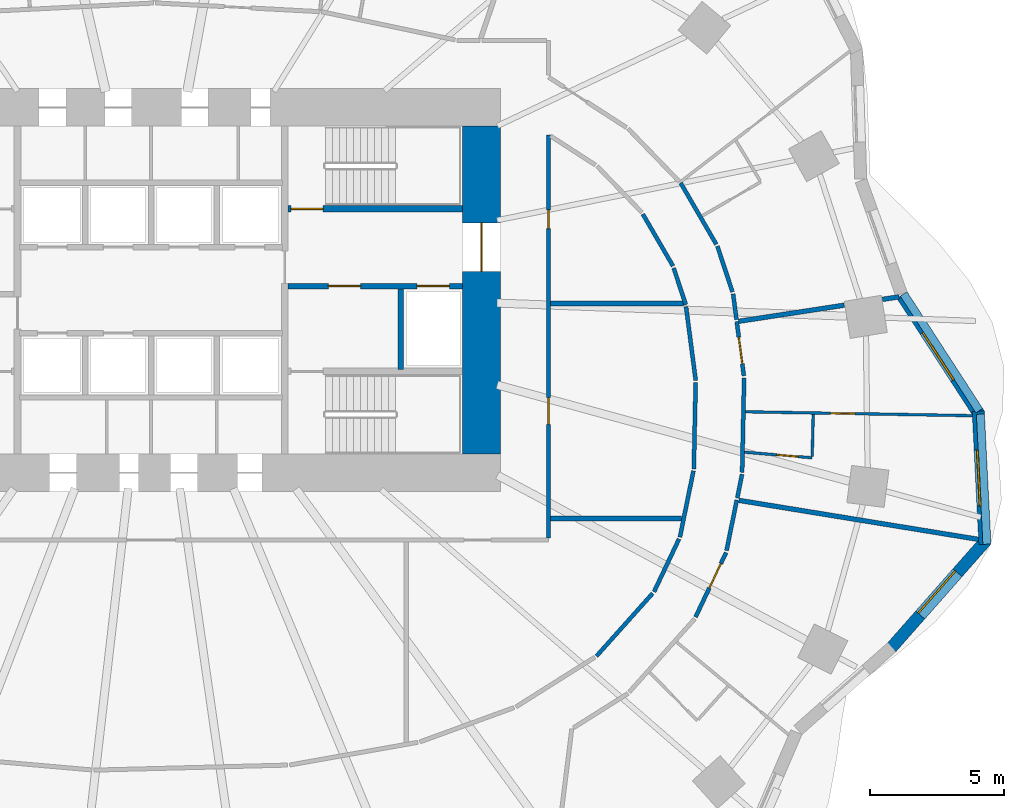
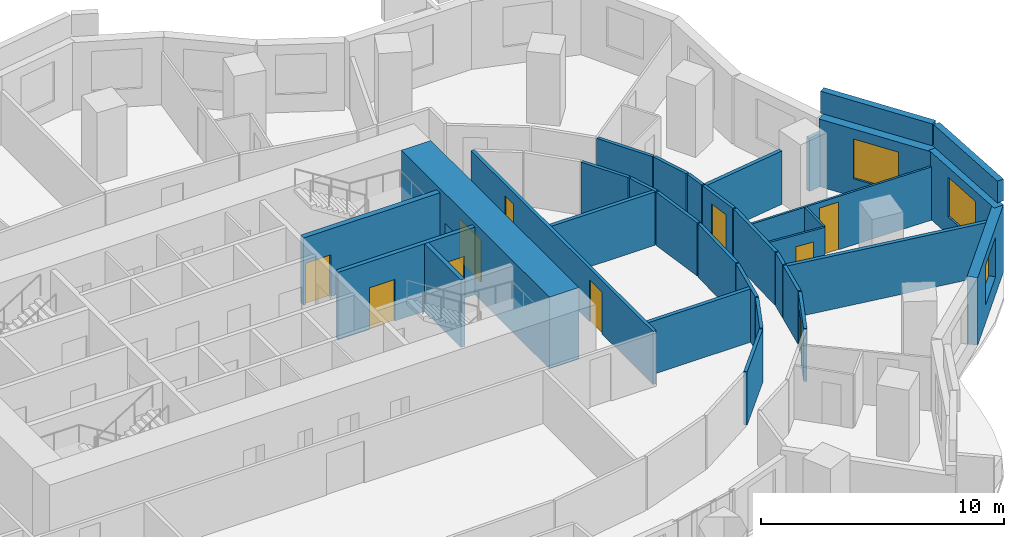
# One storey, part 8 of 14: 33 walls, 10 doors, 3 windows, 13 openings.
"""IFC4 building model written with IfcOpenShell, lengths in metres."""

from ifc_helpers import new_model, si_unit, direction, frame, frame_2d, origin, place, context, subcontext, project, spatial, rectangle, extrude, material, layer, layer_set, type_object, element, fill, save


model = new_model("IFC4")

# Units and contexts
model_context = context("Model", 3, precision=1e-05, world=origin(), true_north=direction((0.0, 1.0)))
body_context = subcontext(model_context, "Body", "Model", "MODEL_VIEW")
ifc_project = project(units=[si_unit("LENGTHUNIT", "METRE"), si_unit("AREAUNIT", "SQUARE_METRE"), si_unit("VOLUMEUNIT", "CUBIC_METRE"), si_unit("PLANEANGLEUNIT", "RADIAN"), si_unit("MASSUNIT", "GRAM", prefix="KILO")], contexts=[model_context])

# Site, building, storey
site_placement = place(None, origin())
site = spatial("IfcSite", under=ifc_project, at=site_placement, CompositionType="ELEMENT")
building_placement = place(site_placement, origin())
building = spatial("IfcBuilding", under=site, at=building_placement, Name="Rubra Terraces Tower", CompositionType="ELEMENT")
storey_placement = place(building_placement, frame((0.0, 0.0, 44.699951171875)))
storey = spatial("IfcBuildingStorey", under=building, at=storey_placement, Name="L08", CompositionType="ELEMENT", Elevation=44.699951171875)

# Walls
ifc_material_1 = material(Name="Twin plasterboard on staggered steel stud, acoustic mineral wool", Category="steel")
ifc_layer_1 = layer(ifc_material_1, 0.175048828125)
ifc_layer_set_1 = layer_set([ifc_layer_1], Name="Twin plasterboard on staggered steel stud, acoustic mineral wool")
wall_type_1 = type_object("IfcWallType", Name="ACOUSTIC PARTY WALL 175", PredefinedType="PARTITIONING", material=ifc_layer_set_1)
wall_1_placement = place(storey_placement, frame((30.802734375, -4.7802734375, 0.0), z_axis=(0.0, 0.0, 1.0), x_axis=(-0.98698803995, 0.160793684567, 0.0)))
element("IfcWall", 1, at=wall_1_placement, inside=storey, type_object=wall_type_1, Name="PARTITION", PredefinedType="PARTITIONING", context=body_context, shape_type="SweptSolid", body=[
    extrude(rectangle(XDim=9.040283203125, YDim=0.175048828125, at=frame_2d((4.52001953125, 0.0))), origin(), (0.0, 0.0, 1.0), 2.679931640625),
])
wall_2_placement = place(storey_placement, frame((27.844970703125, 4.249267578125, 0.0), z_axis=(0.0, 0.0, 1.0), x_axis=(-0.988533937995, -0.15099885242, 0.0)))
element("IfcWall", 2, at=wall_2_placement, inside=storey, type_object=wall_type_1, Name="PARTITION", PredefinedType="PARTITIONING", context=body_context, shape_type="SweptSolid", body=[
    extrude(rectangle(XDim=0.6240234375, YDim=0.175048828125, at=frame_2d((0.31201171875, 0.0))), origin(), (0.0, 0.0, 1.0), 2.679931640625),
])
wall_3_placement = place(storey_placement, frame((25.804443359375, 3.937744140625, 0.0), z_axis=(0.0, 0.0, 1.0), x_axis=(-0.988543004534, -0.150939485181, 0.0)))
element("IfcWall", 3, at=wall_3_placement, inside=storey, type_object=wall_type_1, Name="PARTITION", PredefinedType="PARTITIONING", context=body_context, shape_type="SweptSolid", body=[
    extrude(rectangle(XDim=3.972412109375, YDim=0.175048828125, at=frame_2d((1.986328125, 0.0))), origin(), (0.0, 0.0, 1.0), 2.679931640625),
])
wall_4_placement = place(storey_placement, frame((14.875, 4.0, 0.0), z_axis=(0.0, 0.0, 1.0), x_axis=(1.0, 0.0, 0.0)))
element("IfcWall", 4, at=wall_4_placement, inside=storey, type_object=wall_type_1, Name="PARTITION", PredefinedType="PARTITIONING", context=body_context, shape_type="SweptSolid", body=[
    extrude(rectangle(XDim=4.941162109375, YDim=0.175048828125, at=frame_2d((2.470703125, 0.0))), origin(), (0.0, 0.0, 1.0), 2.679931640625),
])
wall_5_placement = place(storey_placement, frame((14.875, -4.0, 0.0), z_axis=(0.0, 0.0, 1.0), x_axis=(1.0, 0.0, 0.0)))
element("IfcWall", 5, at=wall_5_placement, inside=storey, type_object=wall_type_1, Name="PARTITION", PredefinedType="PARTITIONING", context=body_context, shape_type="SweptSolid", body=[
    extrude(rectangle(XDim=4.879150390625, YDim=0.175048828125, at=frame_2d((2.439453125, 0.0))), origin(), (0.0, 0.0, 1.0), 2.679931640625),
])

# Wall, opening, window
ifc_material_2 = material(Name="Brick masonry red-brown", Category="masonry")
ifc_layer_2 = layer(ifc_material_2, 0.449951171875)
ifc_layer_set_2 = layer_set([ifc_layer_2], Name="Brick masonry red-brown")
wall_type_2 = type_object("IfcWallType", Name="Brick facade wall 450", PredefinedType="SOLIDWALL", material=ifc_layer_set_2)
wall_6_placement = place(storey_placement, frame((30.8251953125, -0.117431640625, 0.0), z_axis=(0.0, 0.0, 1.0), x_axis=(-0.543975629516, 0.839101015666, 0.0)))
wall_6 = element("IfcWall", 6, at=wall_6_placement, inside=storey, type_object=wall_type_2, Name="Facade wall L08 bay 1", PredefinedType="SOLIDWALL", context=body_context, shape_type="SweptSolid", body=[
    extrude(rectangle(XDim=5.281005859375, YDim=0.449951171875, at=frame_2d((2.640625, 0.0))), origin(), (0.0, 0.0, 1.0), 3.400146484375),
])
opening_1_placement = place(wall_6_placement, frame((1.590576171875, 0.0, 0.89990234375)))
opening_1 = element("IfcOpeningElement", 7, at=opening_1_placement, cuts=wall_6, Name="Opening W1", PredefinedType="OPENING", context=body_context, shape_type="SweptSolid", body=[
    extrude(rectangle(XDim=2.10009765625, YDim=2.0, at=frame_2d((1.050048828125, 1.0))), frame((0.0, 0.23486328125, 0.0), z_axis=(0.0, -1.0, 0.0), x_axis=(1.0, 0.0, 0.0)), (0.0, 0.0, 1.0), 0.469970703125),
])
ifc_material_3 = material(Name="Clear glass in aluminium frame", Category="aluminium")
window_type = type_object("IfcWindowType", Name="Fixed deep-set window 2100 x 2000", PartitioningType="SINGLE_PANEL", PredefinedType="WINDOW", material=ifc_material_3)
window_1_placement = place(opening_1_placement, origin())
window_1 = element("IfcWindow", 8, at=window_1_placement, inside=storey, type_object=window_type, Name="Window L08 bay 1", OverallHeight=2.0, OverallWidth=2.10009765625, PartitioningType="SINGLE_PANEL", PredefinedType="WINDOW", context=body_context, shape_type="SweptSolid", body=[
    extrude(rectangle(XDim=2.10009765625, YDim=2.0, at=frame_2d((1.050048828125, 1.0))), frame((0.0, 0.135009765625, 0.0), z_axis=(0.0, -1.0, 0.0), x_axis=(1.0, 0.0, 0.0)), (0.0, 0.0, 1.0), 0.06005859375),
])
fill(opening_1, window_1)

wall_7_placement = place(storey_placement, frame((27.560791015625, -8.81005859375, 0.0), z_axis=(0.0, 0.0, 1.0), x_axis=(0.661706312809, 0.749763132989, 0.0)))
wall_7 = element("IfcWall", 9, at=wall_7_placement, inside=storey, type_object=wall_type_2, Name="Facade wall L08 bay 39", PredefinedType="SOLIDWALL", context=body_context, shape_type="SweptSolid", body=[
    extrude(rectangle(XDim=5.33984375, YDim=0.449951171875, at=frame_2d((2.669921875, 0.0))), origin(), (0.0, 0.0, 1.0), 3.400146484375),
])
opening_2_placement = place(wall_7_placement, frame((1.619873046875, 0.0, 0.89990234375)))
opening_2 = element("IfcOpeningElement", 10, at=opening_2_placement, cuts=wall_7, Name="Opening W1", PredefinedType="OPENING", context=body_context, shape_type="SweptSolid", body=[
    extrude(rectangle(XDim=2.10009765625, YDim=2.0, at=frame_2d((1.050048828125, 1.0))), frame((0.0, 0.23486328125, 0.0), z_axis=(0.0, -1.0, 0.0), x_axis=(1.0, 0.0, 0.0)), (0.0, 0.0, 1.0), 0.469970703125),
])
window_2_placement = place(opening_2_placement, origin())
window_2 = element("IfcWindow", 11, at=window_2_placement, inside=storey, type_object=window_type, Name="Window L08 bay 39", OverallHeight=2.0, OverallWidth=2.10009765625, PartitioningType="SINGLE_PANEL", PredefinedType="WINDOW", context=body_context, shape_type="SweptSolid", body=[
    extrude(rectangle(XDim=2.10009765625, YDim=2.0, at=frame_2d((1.050048828125, 1.0))), frame((0.0, 0.135009765625, 0.0), z_axis=(0.0, -1.0, 0.0), x_axis=(1.0, 0.0, 0.0)), (0.0, 0.0, 1.0), 0.06005859375),
])
fill(opening_2, window_2)

wall_8_placement = place(storey_placement, frame((31.041259765625, -4.96337890625, 0.0), z_axis=(0.0, 0.0, 1.0), x_axis=(-0.050222481563, 0.99873805492, 0.0)))
wall_8 = element("IfcWall", 12, at=wall_8_placement, inside=storey, type_object=wall_type_2, Name="Facade wall L08 bay 40", PredefinedType="SOLIDWALL", context=body_context, shape_type="SweptSolid", body=[
    extrude(rectangle(XDim=4.95849609375, YDim=0.449951171875, at=frame_2d((2.479248046875, 0.0))), origin(), (0.0, 0.0, 1.0), 3.400146484375),
])
opening_3_placement = place(wall_8_placement, frame((1.42919921875, 0.0, 0.89990234375)))
opening_3 = element("IfcOpeningElement", 13, at=opening_3_placement, cuts=wall_8, Name="Opening W1", PredefinedType="OPENING", context=body_context, shape_type="SweptSolid", body=[
    extrude(rectangle(XDim=2.10009765625, YDim=2.0, at=frame_2d((1.050048828125, 1.0))), frame((0.0, 0.23486328125, 0.0), z_axis=(0.0, -1.0, 0.0), x_axis=(1.0, 0.0, 0.0)), (0.0, 0.0, 1.0), 0.469970703125),
])
window_3_placement = place(opening_3_placement, origin())
window_3 = element("IfcWindow", 14, at=window_3_placement, inside=storey, type_object=window_type, Name="Window L08 bay 40", OverallHeight=2.0, OverallWidth=2.10009765625, PartitioningType="SINGLE_PANEL", PredefinedType="WINDOW", context=body_context, shape_type="SweptSolid", body=[
    extrude(rectangle(XDim=2.10009765625, YDim=2.0, at=frame_2d((1.050048828125, 1.0))), frame((0.0, 0.135009765625, 0.0), z_axis=(0.0, -1.0, 0.0), x_axis=(1.0, 0.0, 0.0)), (0.0, 0.0, 1.0), 0.06005859375),
])
fill(opening_3, window_3)

# Walls
ifc_layer_3 = layer(ifc_material_2, 0.300048828125)
ifc_layer_set_3 = layer_set([ifc_layer_3], Name="Brick masonry red-brown")
wall_type_3 = type_object("IfcWallType", Name="Brick parapet 300", PredefinedType="PARAPET", material=ifc_layer_set_3)
wall_9_placement = place(storey_placement, frame((30.8310546875, 0.01123046875, 3.60009765625), z_axis=(0.0, 0.0, 1.0), x_axis=(-0.543918219167, 0.839138231079, 0.0)))
element("IfcWall", 15, at=wall_9_placement, inside=storey, type_object=wall_type_3, Name="Parapet L08 bay 1", PredefinedType="PARAPET", context=body_context, shape_type="SweptSolid", body=[
    extrude(rectangle(XDim=5.17431640625, YDim=0.300048828125, at=frame_2d((2.587158203125, 0.0))), origin(), (0.0, 0.0, 1.0), 1.099853515625),
])
wall_10_placement = place(storey_placement, frame((31.1162109375, -4.95947265625, 3.60009765625), z_axis=(0.0, 0.0, 1.0), x_axis=(-0.05021140618, 0.998738611795, 0.0)))
element("IfcWall", 16, at=wall_10_placement, inside=storey, type_object=wall_type_3, Name="Parapet L08 bay 40", PredefinedType="PARAPET", context=body_context, shape_type="SweptSolid", body=[
    extrude(rectangle(XDim=4.84765625, YDim=0.300048828125, at=frame_2d((2.423828125, 0.0))), origin(), (0.0, 0.0, 1.0), 1.099853515625),
])

# Wall, opening, door
ifc_material_4 = material(Name="Concrete C70", Category="concrete")
ifc_layer_4 = layer(ifc_material_4, 1.39990234375)
ifc_layer_set_4 = layer_set([ifc_layer_4], Name="Concrete C70")
wall_type_4 = type_object("IfcWallType", Name="CORE WALL 1400 C70", PredefinedType="SHEAR", material=ifc_layer_set_4)
wall_11_placement = place(storey_placement, frame((12.300048828125, -1.60009765625, 0.0), z_axis=(0.0, 0.0, 1.0), x_axis=(0.0, 1.0, 0.0)))
wall_11 = element("IfcWall", 17, at=wall_11_placement, inside=storey, type_object=wall_type_4, Name="CORE WALL E L08", PredefinedType="SHEAR", context=body_context, shape_type="SweptSolid", body=[
    extrude(rectangle(XDim=12.2001953125, YDim=1.39990234375, at=frame_2d((6.10009765625, 0.0))), origin(), (0.0, 0.0, 1.0), 3.60009765625),
])
opening_4_placement = place(wall_11_placement, frame((6.800048828125, 0.0, 0.0)))
opening_4 = element("IfcOpeningElement", 18, at=opening_4_placement, cuts=wall_11, Name="Opening L08.C02", PredefinedType="OPENING", context=body_context, shape_type="SweptSolid", body=[
    extrude(rectangle(XDim=1.800048828125, YDim=2.10009765625, at=frame_2d((0.89990234375, 1.050048828125))), frame((0.0, 0.7099609375, 0.0), z_axis=(0.0, -1.0, 0.0), x_axis=(1.0, 0.0, 0.0)), (0.0, 0.0, 1.0), 1.419921875),
])
ifc_material_5 = material(Name="Painted steel", Category="steel")
door_type_1 = type_object("IfcDoorType", Name="Fire door 1800x2100 double", OperationType="NOTDEFINED", PredefinedType="DOOR", material=ifc_material_5)
door_1_placement = place(opening_4_placement, origin())
door_1 = element("IfcDoor", 19, at=door_1_placement, inside=storey, type_object=door_type_1, Name="Core entrance door FF2", OperationType="DOUBLE_DOOR_SINGLE_SWING", OverallHeight=2.10009765625, OverallWidth=1.800048828125, PredefinedType="DOOR", context=body_context, shape_type="SweptSolid", body=[
    extrude(rectangle(XDim=1.800048828125, YDim=2.10009765625, at=frame_2d((0.89990234375, 1.050048828125))), frame((0.0, 0.02490234375, 0.0), z_axis=(0.0, -1.0, 0.0), x_axis=(1.0, 0.0, 0.0)), (0.0, 0.0, 1.0), 0.050048828125),
])
fill(opening_4, door_1)

ifc_material_6 = material(Name="Plasterboard on steel stud, mineral wool infill", Category="steel")
ifc_layer_5 = layer(ifc_material_6, 0.14990234375)
ifc_layer_set_5 = layer_set([ifc_layer_5], Name="Plasterboard on steel stud, mineral wool infill")
wall_type_5 = type_object("IfcWallType", Name="CORRIDOR PARTITION 150", PredefinedType="PARTITIONING", material=ifc_layer_set_5)
wall_12_placement = place(storey_placement, frame((20.2705078125, -7.669677734375, 0.0), z_axis=(0.0, 0.0, 1.0), x_axis=(0.427995478521, 0.903780875193, 0.0)))
wall_12 = element("IfcWall", 20, at=wall_12_placement, inside=storey, type_object=wall_type_5, Name="PARTITION", PredefinedType="PARTITIONING", context=body_context, shape_type="SweptSolid", body=[
    extrude(rectangle(XDim=2.656494140625, YDim=0.14990234375, at=frame_2d((1.328125, 0.0))), origin(), (0.0, 0.0, 1.0), 2.679931640625),
])
opening_5_placement = place(wall_12_placement, frame((1.199951171875, 0.0, 0.0)))
opening_5 = element("IfcOpeningElement", 21, at=opening_5_placement, cuts=wall_12, Name="Opening 08-127", PredefinedType="OPENING", context=body_context, shape_type="SweptSolid", body=[
    extrude(rectangle(XDim=1.0, YDim=2.10009765625, at=frame_2d((0.5, 1.050048828125))), frame((0.0, 0.0849609375, 0.0), z_axis=(0.0, -1.0, 0.0), x_axis=(1.0, 0.0, 0.0)), (0.0, 0.0, 1.0), 0.169921875),
])
ifc_material_7 = material(Name="Painted timber door leaf", Category="wood")
door_type_2 = type_object("IfcDoorType", Name="ROOM DOOR 1000 X 2100", OperationType="SINGLE_SWING_LEFT", PredefinedType="DOOR", material=ifc_material_7)
door_2_placement = place(opening_5_placement, origin())
door_2 = element("IfcDoor", 22, at=door_2_placement, inside=storey, type_object=door_type_2, Name="DOOR 08-127", OperationType="SINGLE_SWING_RIGHT", OverallHeight=2.10009765625, OverallWidth=1.0, PredefinedType="DOOR", context=body_context, shape_type="SweptSolid", body=[
    extrude(rectangle(XDim=1.0, YDim=2.10009765625, at=frame_2d((0.5, 1.050048828125))), frame((0.0, 0.02490234375, 0.0), z_axis=(0.0, -1.0, 0.0), x_axis=(1.0, 0.0, 0.0)), (0.0, 0.0, 1.0), 0.050048828125),
])
fill(opening_5, door_2)

# Walls
wall_13_placement = place(storey_placement, frame((21.422607421875, -5.1953125, 0.0), z_axis=(0.0, 0.0, 1.0), x_axis=(0.199808007721, 0.97983506778, 0.0)))
element("IfcWall", 23, at=wall_13_placement, inside=storey, type_object=wall_type_5, Name="PARTITION", PredefinedType="PARTITIONING", context=body_context, shape_type="SweptSolid", body=[
    extrude(rectangle(XDim=1.919677734375, YDim=0.14990234375, at=frame_2d((0.9599609375, 0.0))), origin(), (0.0, 0.0, 1.0), 2.679931640625),
])
wall_14_placement = place(storey_placement, frame((21.821044921875, -3.240966796875, 0.0), z_axis=(0.0, 0.0, 1.0), x_axis=(0.199859337249, 0.97982459926, 0.0)))
element("IfcWall", 24, at=wall_14_placement, inside=storey, type_object=wall_type_5, Name="PARTITION", PredefinedType="PARTITIONING", context=body_context, shape_type="SweptSolid", body=[
    extrude(rectangle(XDim=0.90283203125, YDim=0.14990234375, at=frame_2d((0.451416015625, 0.0))), origin(), (0.0, 0.0, 1.0), 2.679931640625),
])
wall_15_placement = place(storey_placement, frame((22.003173828125, -2.281494140625, 0.0), z_axis=(0.0, 0.0, 1.0), x_axis=(0.021172866829, 0.999775829729, 0.0)))
element("IfcWall", 25, at=wall_15_placement, inside=storey, type_object=wall_type_5, Name="PARTITION", PredefinedType="PARTITIONING", context=body_context, shape_type="SweptSolid", body=[
    extrude(rectangle(XDim=3.516845703125, YDim=0.14990234375, at=frame_2d((1.75830078125, 0.0))), origin(), (0.0, 0.0, 1.0), 2.679931640625),
])

# Wall, opening, door
wall_16_placement = place(storey_placement, frame((22.06787109375, 1.30908203125, 0.0), z_axis=(0.0, 0.0, 1.0), x_axis=(-0.129923831537, 0.991523977521, 0.0)))
wall_16 = element("IfcWall", 26, at=wall_16_placement, inside=storey, type_object=wall_type_5, Name="PARTITION", PredefinedType="PARTITIONING", context=body_context, shape_type="SweptSolid", body=[
    extrude(rectangle(XDim=2.03515625, YDim=0.14990234375, at=frame_2d((1.017578125, 0.0))), origin(), (0.0, 0.0, 1.0), 2.679931640625),
])
opening_6_placement = place(wall_16_placement, frame((0.449951171875, 0.0, 0.0)))
opening_6 = element("IfcOpeningElement", 27, at=opening_6_placement, cuts=wall_16, Name="Opening 08-130", PredefinedType="OPENING", context=body_context, shape_type="SweptSolid", body=[
    extrude(rectangle(XDim=1.0, YDim=2.10009765625, at=frame_2d((0.5, 1.050048828125))), frame((0.0, 0.0849609375, 0.0), z_axis=(0.0, -1.0, 0.0), x_axis=(1.0, 0.0, 0.0)), (0.0, 0.0, 1.0), 0.169921875),
])
door_3_placement = place(opening_6_placement, origin())
door_3 = element("IfcDoor", 28, at=door_3_placement, inside=storey, type_object=door_type_2, Name="DOOR 08-130", OperationType="SINGLE_SWING_RIGHT", OverallHeight=2.10009765625, OverallWidth=1.0, PredefinedType="DOOR", context=body_context, shape_type="SweptSolid", body=[
    extrude(rectangle(XDim=1.0, YDim=2.10009765625, at=frame_2d((0.5, 1.050048828125))), frame((0.0, 0.02490234375, 0.0), z_axis=(0.0, -1.0, 0.0), x_axis=(1.0, 0.0, 0.0)), (0.0, 0.0, 1.0), 0.050048828125),
])
fill(opening_6, door_3)

# Walls
wall_17_placement = place(storey_placement, frame((21.793701171875, 3.4013671875, 0.0), z_axis=(0.0, 0.0, 1.0), x_axis=(-0.129911835925, 0.991525549286, 0.0)))
element("IfcWall", 29, at=wall_17_placement, inside=storey, type_object=wall_type_5, Name="PARTITION", PredefinedType="PARTITIONING", context=body_context, shape_type="SweptSolid", body=[
    extrude(rectangle(XDim=0.966064453125, YDim=0.14990234375, at=frame_2d((0.48291015625, 0.0))), origin(), (0.0, 0.0, 1.0), 2.679931640625),
])
wall_18_placement = place(storey_placement, frame((21.644775390625, 4.430419921875, 0.0), z_axis=(0.0, 0.0, 1.0), x_axis=(-0.313700743044, 0.949521902756, 0.0)))
element("IfcWall", 30, at=wall_18_placement, inside=storey, type_object=wall_type_5, Name="PARTITION", PredefinedType="PARTITIONING", context=body_context, shape_type="SweptSolid", body=[
    extrude(rectangle(XDim=1.7978515625, YDim=0.14990234375, at=frame_2d((0.89892578125, 0.0))), origin(), (0.0, 0.0, 1.0), 2.679931640625),
])
wall_19_placement = place(storey_placement, frame((21.043212890625, 6.2021484375, 0.0), z_axis=(0.0, 0.0, 1.0), x_axis=(-0.502371650135, 0.864651794158, 0.0)))
element("IfcWall", 31, at=wall_19_placement, inside=storey, type_object=wall_type_5, Name="PARTITION", PredefinedType="PARTITIONING", context=body_context, shape_type="SweptSolid", body=[
    extrude(rectangle(XDim=2.643798828125, YDim=0.14990234375, at=frame_2d((1.32177734375, 0.0))), origin(), (0.0, 0.0, 1.0), 2.679931640625),
])
wall_20_placement = place(storey_placement, frame((18.306396484375, 7.329345703125, 0.0), z_axis=(0.0, 0.0, 1.0), x_axis=(0.502425081691, -0.864620747662, 0.0)))
element("IfcWall", 32, at=wall_20_placement, inside=storey, type_object=wall_type_5, Name="PARTITION", PredefinedType="PARTITIONING", context=body_context, shape_type="SweptSolid", body=[
    extrude(rectangle(XDim=2.2373046875, YDim=0.14990234375, at=frame_2d((1.11865234375, 0.0))), origin(), (0.0, 0.0, 1.0), 2.679931640625),
])
wall_21_placement = place(storey_placement, frame((19.453857421875, 5.32373046875, 0.0), z_axis=(0.0, 0.0, 1.0), x_axis=(0.313632756375, -0.949544361327, 0.0)))
element("IfcWall", 33, at=wall_21_placement, inside=storey, type_object=wall_type_5, Name="PARTITION", PredefinedType="PARTITIONING", context=body_context, shape_type="SweptSolid", body=[
    extrude(rectangle(XDim=1.440185546875, YDim=0.14990234375, at=frame_2d((0.72021484375, 0.0))), origin(), (0.0, 0.0, 1.0), 2.679931640625),
])
wall_22_placement = place(storey_placement, frame((19.915283203125, 3.882080078125, 0.0), z_axis=(0.0, 0.0, 1.0), x_axis=(0.129945947446, -0.991521079323, 0.0)))
element("IfcWall", 34, at=wall_22_placement, inside=storey, type_object=wall_type_5, Name="PARTITION", PredefinedType="PARTITIONING", context=body_context, shape_type="SweptSolid", body=[
    extrude(rectangle(XDim=2.769287109375, YDim=0.14990234375, at=frame_2d((1.384765625, 0.0))), origin(), (0.0, 0.0, 1.0), 2.679931640625),
])
wall_23_placement = place(storey_placement, frame((20.2734375, 1.061279296875, 0.0), z_axis=(0.0, 0.0, 1.0), x_axis=(-0.021166906337, -0.99977595594, 0.0)))
element("IfcWall", 35, at=wall_23_placement, inside=storey, type_object=wall_type_5, Name="PARTITION", PredefinedType="PARTITIONING", context=body_context, shape_type="SweptSolid", body=[
    extrude(rectangle(XDim=3.218017578125, YDim=0.14990234375, at=frame_2d((1.60888671875, 0.0))), origin(), (0.0, 0.0, 1.0), 2.679931640625),
])
wall_24_placement = place(storey_placement, frame((20.190185546875, -2.2294921875, 0.0), z_axis=(0.0, 0.0, 1.0), x_axis=(-0.199752828647, -0.97984631828, 0.0)))
element("IfcWall", 36, at=wall_24_placement, inside=storey, type_object=wall_type_5, Name="PARTITION", PredefinedType="PARTITIONING", context=body_context, shape_type="SweptSolid", body=[
    extrude(rectangle(XDim=2.5166015625, YDim=0.14990234375, at=frame_2d((1.25830078125, 0.0))), origin(), (0.0, 0.0, 1.0), 2.679931640625),
])
wall_25_placement = place(storey_placement, frame((19.6552734375, -4.76318359375, 0.0), z_axis=(0.0, 0.0, 1.0), x_axis=(-0.427965880464, -0.903794891089, 0.0)))
element("IfcWall", 37, at=wall_25_placement, inside=storey, type_object=wall_type_5, Name="PARTITION", PredefinedType="PARTITIONING", context=body_context, shape_type="SweptSolid", body=[
    extrude(rectangle(XDim=2.177978515625, YDim=0.14990234375, at=frame_2d((1.0888671875, 0.0))), origin(), (0.0, 0.0, 1.0), 2.679931640625),
])
wall_26_placement = place(storey_placement, frame((18.673095703125, -6.78759765625, 0.0), z_axis=(0.0, 0.0, 1.0), x_axis=(-0.666610670036, -0.745406073623, 0.0)))
element("IfcWall", 38, at=wall_26_placement, inside=storey, type_object=wall_type_5, Name="PARTITION", PredefinedType="PARTITIONING", context=body_context, shape_type="SweptSolid", body=[
    extrude(rectangle(XDim=3.138671875, YDim=0.14990234375, at=frame_2d((1.5693359375, 0.0))), origin(), (0.0, 0.0, 1.0), 2.679931640625),
])

# Wall, openings, doors
wall_27_placement = place(storey_placement, frame((14.800048828125, -4.72509765625, 0.0), z_axis=(0.0, 0.0, 1.0), x_axis=(0.0, 1.0, 0.0)))
wall_27 = element("IfcWall", 39, at=wall_27_placement, inside=storey, type_object=wall_type_5, Name="PARTITION", PredefinedType="PARTITIONING", context=body_context, shape_type="SweptSolid", body=[
    extrude(rectangle(XDim=15.00830078125, YDim=0.14990234375, at=frame_2d((7.504150390625, 0.0))), origin(), (0.0, 0.0, 1.0), 2.679931640625),
])
opening_7_placement = place(wall_27_placement, frame((11.51611328125, 0.0, 0.0)))
opening_7 = element("IfcOpeningElement", 40, at=opening_7_placement, cuts=wall_27, Name="Opening 08-139", PredefinedType="OPENING", context=body_context, shape_type="SweptSolid", body=[
    extrude(rectangle(XDim=0.699951171875, YDim=2.10009765625, at=frame_2d((0.35009765625, 1.050048828125))), frame((0.0, 0.0849609375, 0.0), z_axis=(0.0, -1.0, 0.0), x_axis=(1.0, 0.0, 0.0)), (0.0, 0.0, 1.0), 0.169921875),
])
opening_8_placement = place(wall_27_placement, frame((4.22509765625, 0.0, 0.0)))
opening_8 = element("IfcOpeningElement", 41, at=opening_8_placement, cuts=wall_27, Name="Opening 08-140", PredefinedType="OPENING", context=body_context, shape_type="SweptSolid", body=[
    extrude(rectangle(XDim=1.0, YDim=2.10009765625, at=frame_2d((0.5, 1.050048828125))), frame((0.0, 0.0849609375, 0.0), z_axis=(0.0, -1.0, 0.0), x_axis=(1.0, 0.0, 0.0)), (0.0, 0.0, 1.0), 0.169921875),
])
door_4_placement = place(opening_8_placement, origin())
door_4 = element("IfcDoor", 42, at=door_4_placement, inside=storey, type_object=door_type_2, Name="DOOR 08-140", OperationType="SINGLE_SWING_RIGHT", OverallHeight=2.10009765625, OverallWidth=1.0, PredefinedType="DOOR", context=body_context, shape_type="SweptSolid", body=[
    extrude(rectangle(XDim=1.0, YDim=2.10009765625, at=frame_2d((0.5, 1.050048828125))), frame((0.0, 0.02490234375, 0.0), z_axis=(0.0, -1.0, 0.0), x_axis=(1.0, 0.0, 0.0)), (0.0, 0.0, 1.0), 0.050048828125),
])
fill(opening_8, door_4)
door_type_3 = type_object("IfcDoorType", Name="STORE DOOR 700 X 2100", OperationType="SINGLE_SWING_LEFT", PredefinedType="DOOR", material=ifc_material_7)
door_5_placement = place(opening_7_placement, origin())
door_5 = element("IfcDoor", 43, at=door_5_placement, inside=storey, type_object=door_type_3, Name="DOOR 08-139", OperationType="SINGLE_SWING_RIGHT", OverallHeight=2.10009765625, OverallWidth=0.699951171875, PredefinedType="DOOR", context=body_context, shape_type="SweptSolid", body=[
    extrude(rectangle(XDim=0.699951171875, YDim=2.10009765625, at=frame_2d((0.35009765625, 1.050048828125))), frame((0.0, 0.02490234375, 0.0), z_axis=(0.0, -1.0, 0.0), x_axis=(1.0, 0.0, 0.0)), (0.0, 0.0, 1.0), 0.050048828125),
])
fill(opening_7, door_5)

ifc_material_8 = material(Name="Concrete C30", Category="concrete")
ifc_layer_6 = layer(ifc_material_8, 0.199951171875)
ifc_layer_set_6 = layer_set([ifc_layer_6], Name="Concrete C30")
wall_type_6 = type_object("IfcWallType", Name="Core wall 200 concrete", PredefinedType="SOLIDWALL", material=ifc_layer_set_6)
wall_28_placement = place(storey_placement, frame((11.60009765625, 4.64990234375, 0.0), z_axis=(0.0, 0.0, 1.0), x_axis=(-1.0, 0.0, 0.0)))
wall_28 = element("IfcWall", 44, at=wall_28_placement, inside=storey, type_object=wall_type_6, Name="STAIR WALL L08", PredefinedType="SOLIDWALL", context=body_context, shape_type="SweptSolid", body=[
    extrude(rectangle(XDim=6.5, YDim=0.199951171875, at=frame_2d((3.25, 0.0))), origin(), (0.0, 0.0, 1.0), 3.400146484375),
])
opening_9_placement = place(wall_28_placement, frame((3.800048828125, 0.0, 0.0)))
opening_9 = element("IfcOpeningElement", 45, at=opening_9_placement, cuts=wall_28, Name="Opening L08.C06", PredefinedType="OPENING", context=body_context, shape_type="SweptSolid", body=[
    extrude(rectangle(XDim=1.199951171875, YDim=2.10009765625, at=frame_2d((0.60009765625, 1.050048828125))), frame((0.0, 0.10986328125, 0.0), z_axis=(0.0, -1.0, 0.0), x_axis=(1.0, 0.0, 0.0)), (0.0, 0.0, 1.0), 0.219970703125),
])
opening_10_placement = place(wall_28_placement, frame((0.5, 0.0, 0.0)))
opening_10 = element("IfcOpeningElement", 46, at=opening_10_placement, cuts=wall_28, Name="Opening L08.C12", PredefinedType="OPENING", context=body_context, shape_type="SweptSolid", body=[
    extrude(rectangle(XDim=1.199951171875, YDim=2.10009765625, at=frame_2d((0.60009765625, 1.050048828125))), frame((0.0, 0.10986328125, 0.0), z_axis=(0.0, -1.0, 0.0), x_axis=(1.0, 0.0, 0.0)), (0.0, 0.0, 1.0), 0.219970703125),
])
door_type_4 = type_object("IfcDoorType", Name="Fire door 1200x2100 single", OperationType="NOTDEFINED", PredefinedType="DOOR", material=ifc_material_5)
door_6_placement = place(opening_9_placement, origin())
door_6 = element("IfcDoor", 47, at=door_6_placement, inside=storey, type_object=door_type_4, Name="Stair vestibule door S4", OperationType="SINGLE_SWING_RIGHT", OverallHeight=2.10009765625, OverallWidth=1.199951171875, PredefinedType="DOOR", context=body_context, shape_type="SweptSolid", body=[
    extrude(rectangle(XDim=1.199951171875, YDim=2.10009765625, at=frame_2d((0.60009765625, 1.050048828125))), frame((0.0, 0.02490234375, 0.0), z_axis=(0.0, -1.0, 0.0), x_axis=(1.0, 0.0, 0.0)), (0.0, 0.0, 1.0), 0.050048828125),
])
fill(opening_9, door_6)
ifc_material_9 = material(Name="Stainless steel", Category="steel")
door_type_5 = type_object("IfcDoorType", Name="Lift landing door 1200x2100", OperationType="NOTDEFINED", PredefinedType="DOOR", material=ifc_material_9)
door_7_placement = place(opening_10_placement, origin())
door_7 = element("IfcDoor", 48, at=door_7_placement, inside=storey, type_object=door_type_5, Name="Landing door FF2", OperationType="SLIDING_TO_RIGHT", OverallHeight=2.10009765625, OverallWidth=1.199951171875, PredefinedType="DOOR", context=body_context, shape_type="SweptSolid", body=[
    extrude(rectangle(XDim=1.199951171875, YDim=2.10009765625, at=frame_2d((0.60009765625, 1.050048828125))), frame((0.0, 0.02490234375, 0.0), z_axis=(0.0, -1.0, 0.0), x_axis=(1.0, 0.0, 0.0)), (0.0, 0.0, 1.0), 0.050048828125),
])
fill(opening_10, door_7)

# Wall
wall_29_placement = place(storey_placement, frame((9.300048828125, 4.550048828125, 0.0), z_axis=(0.0, 0.0, 1.0), x_axis=(0.0, -1.0, 0.0)))
element("IfcWall", 49, at=wall_29_placement, inside=storey, type_object=wall_type_6, Name="STAIR WALL L08", PredefinedType="SOLIDWALL", context=body_context, shape_type="SweptSolid", body=[
    extrude(rectangle(XDim=3.0, YDim=0.199951171875, at=frame_2d((1.5, 0.0))), origin(), (0.0, 0.0, 1.0), 3.400146484375),
])

# Wall, opening, door
ifc_material_10 = material(Name="Plasterboard on steel stud", Category="steel")
ifc_layer_7 = layer(ifc_material_10, 0.10009765625)
ifc_layer_set_7 = layer_set([ifc_layer_7], Name="Plasterboard on steel stud")
wall_type_7 = type_object("IfcWallType", Name="ROOM PARTITION 100", PredefinedType="PARTITIONING", material=ifc_layer_set_7)
wall_30_placement = place(storey_placement, frame((30.5712890625, -0.17529296875, 0.0), z_axis=(0.0, 0.0, 1.0), x_axis=(-0.999851615206, 0.017226362636, 0.0)))
wall_30 = element("IfcWall", 50, at=wall_30_placement, inside=storey, type_object=wall_type_7, Name="PARTITION", PredefinedType="PARTITIONING", context=body_context, shape_type="SweptSolid", body=[
    extrude(rectangle(XDim=8.44677734375, YDim=0.10009765625, at=frame_2d((4.223388671875, 0.0))), origin(), (0.0, 0.0, 1.0), 2.679931640625),
])
opening_11_placement = place(wall_30_placement, frame((4.3720703125, 0.0, 0.0)))
opening_11 = element("IfcOpeningElement", 51, at=opening_11_placement, cuts=wall_30, Name="Opening 08-129", PredefinedType="OPENING", context=body_context, shape_type="SweptSolid", body=[
    extrude(rectangle(XDim=0.89990234375, YDim=2.39990234375, at=frame_2d((0.449951171875, 1.199951171875))), frame((0.0, 0.06005859375, 0.0), z_axis=(0.0, -1.0, 0.0), x_axis=(1.0, 0.0, 0.0)), (0.0, 0.0, 1.0), 0.1201171875),
])
ifc_material_11 = material(Name="Veneered timber door leaf, fire-rated", Category="wood")
door_type_6 = type_object("IfcDoorType", Name="SUITE ENTRANCE DOOR 900 X 2400", OperationType="SINGLE_SWING_LEFT", PredefinedType="DOOR", material=ifc_material_11)
door_8_placement = place(opening_11_placement, origin())
door_8 = element("IfcDoor", 52, at=door_8_placement, inside=storey, type_object=door_type_6, Name="DOOR 08-129", OperationType="SINGLE_SWING_LEFT", OverallHeight=2.39990234375, OverallWidth=0.89990234375, PredefinedType="DOOR", context=body_context, shape_type="SweptSolid", body=[
    extrude(rectangle(XDim=0.89990234375, YDim=2.39990234375, at=frame_2d((0.449951171875, 1.199951171875))), frame((0.0, 0.02490234375, 0.0), z_axis=(0.0, -1.0, 0.0), x_axis=(1.0, 0.0, 0.0)), (0.0, 0.0, 1.0), 0.050048828125),
])
fill(opening_11, door_8)

wall_31_placement = place(storey_placement, frame((22.09375, -1.534423828125, 0.0), z_axis=(0.0, 0.0, 1.0), x_axis=(0.996584989286, -0.082573356054, 0.0)))
wall_31 = element("IfcWall", 53, at=wall_31_placement, inside=storey, type_object=wall_type_7, Name="PARTITION", PredefinedType="PARTITIONING", context=body_context, shape_type="SweptSolid", body=[
    extrude(rectangle(XDim=2.52490234375, YDim=0.10009765625, at=frame_2d((1.262451171875, 0.0))), origin(), (0.0, 0.0, 1.0), 2.679931640625),
])
opening_12_placement = place(wall_31_placement, frame((1.199951171875, 0.0, 0.0)))
opening_12 = element("IfcOpeningElement", 54, at=opening_12_placement, cuts=wall_31, Name="Opening 08-128", PredefinedType="OPENING", context=body_context, shape_type="SweptSolid", body=[
    extrude(rectangle(XDim=0.800048828125, YDim=2.10009765625, at=frame_2d((0.39990234375, 1.050048828125))), frame((0.0, 0.06005859375, 0.0), z_axis=(0.0, -1.0, 0.0), x_axis=(1.0, 0.0, 0.0)), (0.0, 0.0, 1.0), 0.1201171875),
])
door_type_7 = type_object("IfcDoorType", Name="BATHROOM DOOR 800 X 2100", OperationType="SINGLE_SWING_LEFT", PredefinedType="DOOR", material=ifc_material_7)
door_9_placement = place(opening_12_placement, origin())
door_9 = element("IfcDoor", 55, at=door_9_placement, inside=storey, type_object=door_type_7, Name="DOOR 08-128", OperationType="SINGLE_SWING_LEFT", OverallHeight=2.10009765625, OverallWidth=0.800048828125, PredefinedType="DOOR", context=body_context, shape_type="SweptSolid", body=[
    extrude(rectangle(XDim=0.800048828125, YDim=2.10009765625, at=frame_2d((0.39990234375, 1.050048828125))), frame((0.0, 0.02490234375, 0.0), z_axis=(0.0, -1.0, 0.0), x_axis=(1.0, 0.0, 0.0)), (0.0, 0.0, 1.0), 0.050048828125),
])
fill(opening_12, door_9)

# Wall
wall_32_placement = place(storey_placement, frame((24.611328125, -1.69287109375, 0.0), z_axis=(0.0, 0.0, 1.0), x_axis=(0.02410249982, 0.999709492554, 0.0)))
element("IfcWall", 56, at=wall_32_placement, inside=storey, type_object=wall_type_7, Name="PARTITION", PredefinedType="PARTITIONING", context=body_context, shape_type="SweptSolid", body=[
    extrude(rectangle(XDim=1.570068359375, YDim=0.10009765625, at=frame_2d((0.78515625, 0.0))), origin(), (0.0, 0.0, 1.0), 2.679931640625),
])

# Wall, opening, door
ifc_material_12 = material(Name="Concrete C40", Category="concrete")
ifc_layer_8 = layer(ifc_material_12, 0.25)
ifc_layer_set_8 = layer_set([ifc_layer_8], Name="Concrete C40")
wall_type_8 = type_object("IfcWallType", Name="Stair enclosure wall 250 concrete", PredefinedType="SOLIDWALL", material=ifc_layer_set_8)
wall_33_placement = place(storey_placement, frame((11.60009765625, 7.52490234375, 0.0), z_axis=(0.0, 0.0, 1.0), x_axis=(-1.0, 0.0, 0.0)))
wall_33 = element("IfcWall", 57, at=wall_33_placement, inside=storey, type_object=wall_type_8, Name="STAIR WALL L08", PredefinedType="SOLIDWALL", context=body_context, shape_type="SweptSolid", body=[
    extrude(rectangle(XDim=6.5, YDim=0.25, at=frame_2d((3.25, 0.0))), origin(), (0.0, 0.0, 1.0), 3.400146484375),
])
opening_13_placement = place(wall_33_placement, frame((5.199951171875, 0.0, 0.0)))
opening_13 = element("IfcOpeningElement", 58, at=opening_13_placement, cuts=wall_33, Name="Opening L08.C08", PredefinedType="OPENING", context=body_context, shape_type="SweptSolid", body=[
    extrude(rectangle(XDim=1.199951171875, YDim=2.10009765625, at=frame_2d((0.60009765625, 1.050048828125))), frame((0.0, 0.135009765625, 0.0), z_axis=(0.0, -1.0, 0.0), x_axis=(1.0, 0.0, 0.0)), (0.0, 0.0, 1.0), 0.27001953125),
])
door_10_placement = place(opening_13_placement, origin())
door_10 = element("IfcDoor", 59, at=door_10_placement, inside=storey, type_object=door_type_4, Name="Stair door S3", OperationType="SINGLE_SWING_RIGHT", OverallHeight=2.10009765625, OverallWidth=1.199951171875, PredefinedType="DOOR", context=body_context, shape_type="SweptSolid", body=[
    extrude(rectangle(XDim=1.199951171875, YDim=2.10009765625, at=frame_2d((0.60009765625, 1.050048828125))), frame((0.0, 0.02490234375, 0.0), z_axis=(0.0, -1.0, 0.0), x_axis=(1.0, 0.0, 0.0)), (0.0, 0.0, 1.0), 0.050048828125),
])
fill(opening_13, door_10)

save(model, "model.ifc")
